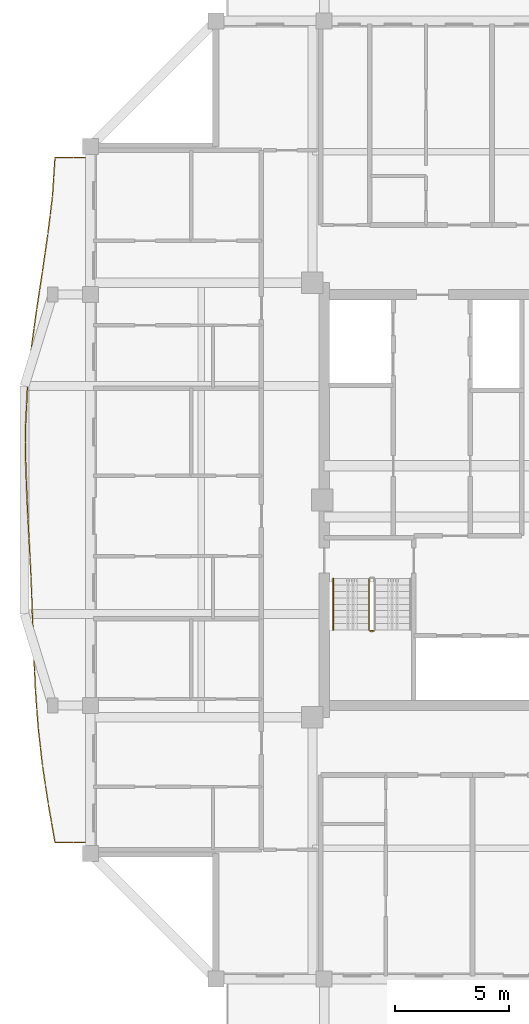
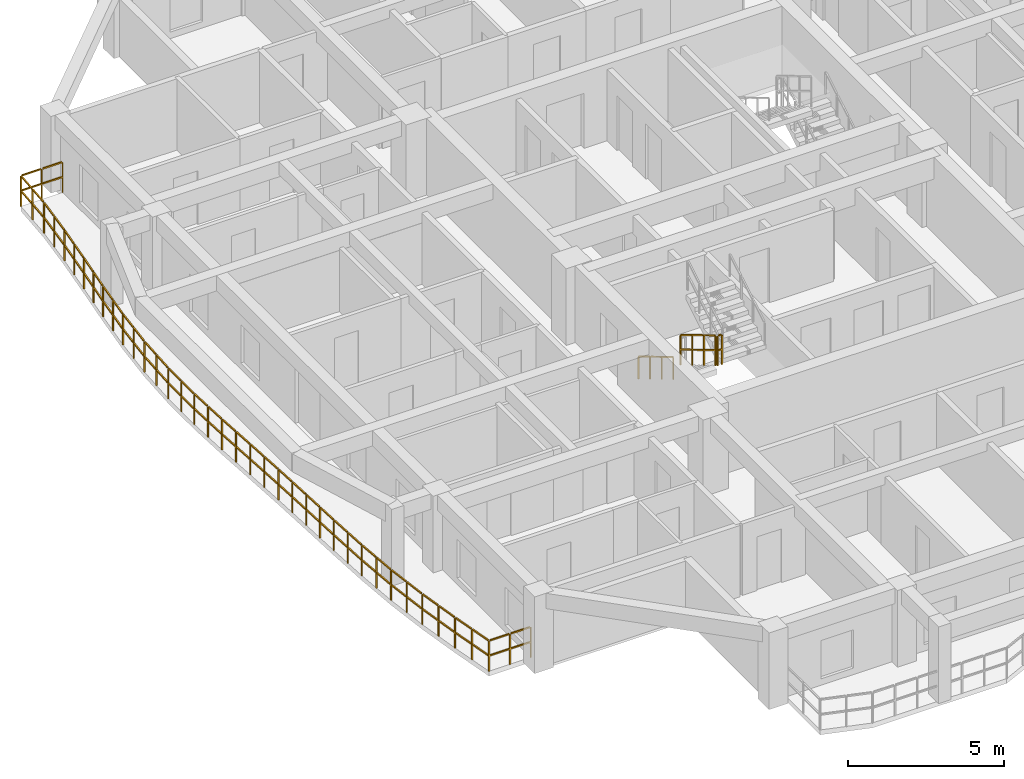
# One storey, part 10 of 13: 4 railings.
"""IFC4 building model written with IfcOpenShell, lengths in metres."""

from ifc_helpers import new_model, si_unit, direction, frame, origin, origin_2d, place, context, subcontext, project, spatial, rectangle, extrude, material, type_object, element, save


model = new_model("IFC4")

# Units and contexts
model_context = context("Model", 3, precision=1e-05, world=origin(), true_north=direction((0.0, 1.0)))
body_context = subcontext(model_context, "Body", "Model", "MODEL_VIEW")
ifc_project = project(units=[si_unit("LENGTHUNIT", "METRE"), si_unit("AREAUNIT", "SQUARE_METRE"), si_unit("VOLUMEUNIT", "CUBIC_METRE"), si_unit("PLANEANGLEUNIT", "RADIAN"), si_unit("MASSUNIT", "GRAM", prefix="KILO")], contexts=[model_context])

# Site, building, storey
site_placement = place(None, origin())
site = spatial("IfcSite", under=ifc_project, at=site_placement, CompositionType="ELEMENT")
building_placement = place(site_placement, origin())
building = spatial("IfcBuilding", under=site, at=building_placement, Name="Saelheon Loggia Tower", CompositionType="ELEMENT")
storey_placement = place(building_placement, frame((0.0, 0.0, 220.199951171875)))
storey = spatial("IfcBuildingStorey", under=building, at=storey_placement, Name="L68", CompositionType="ELEMENT", Elevation=220.199951171875)

# Railings
ifc_material_1 = material(Name="Architectural Precast Concrete and Laminated Glass Guard", Category="concrete")
railing_type_1 = type_object("IfcRailingType", Name="Guard_Loggia_RL_LOG", PredefinedType="BALUSTRADE", material=ifc_material_1)
railing_1_placement = place(storey_placement, frame((21.25, 42.0, 0.0)))
element("IfcRailing", 1, at=railing_1_placement, inside=storey, type_object=railing_type_1, Name="L68 West Loggia Balustrade", PredefinedType="BALUSTRADE", context=body_context, shape_type="SweptSolid", body=[
    extrude(rectangle(XDim=0.048095703125, YDim=0.048095703125, at=origin_2d()), frame((-0.033203125, 0.0, 1.19580078125), z_axis=(-1.0, 0.0, 0.0), x_axis=(0.0, -1.0, 0.0)), (0.0, 0.0, 1.0), 0.70849609375),
    extrude(rectangle(XDim=0.048095703125, YDim=0.048095703125, at=origin_2d()), frame((-0.033203125, 0.0, 0.60986328125), z_axis=(-1.0, 0.0, 0.0), x_axis=(0.0, -1.0, 0.0)), (0.0, 0.0, 1.0), 0.70849609375),
    extrude(rectangle(XDim=0.048095703125, YDim=0.048095703125, at=origin_2d()), frame((-0.808349609375, 0.0, 1.19580078125), z_axis=(-1.0, 0.0, 0.0), x_axis=(0.0, -1.0, 0.0)), (0.0, 0.0, 1.0), 0.70849609375),
    extrude(rectangle(XDim=0.048095703125, YDim=0.048095703125, at=origin_2d()), frame((-0.808349609375, 0.0, 0.60986328125), z_axis=(-1.0, 0.0, 0.0), x_axis=(0.0, -1.0, 0.0)), (0.0, 0.0, 1.0), 0.70849609375),
    extrude(rectangle(XDim=0.048095703125, YDim=0.048095703125, at=origin_2d()), frame((-1.55224609375, -0.033203125, 1.19580078125), z_axis=(-0.064170966116, -0.997938919528, 0.0), x_axis=(0.997938919528, -0.064170966116, 0.0)), (0.0, 0.0, 1.0), 0.7685546875),
    extrude(rectangle(XDim=0.048095703125, YDim=0.048095703125, at=origin_2d()), frame((-1.55224609375, -0.033203125, 0.60986328125), z_axis=(-0.064170966116, -0.997938919528, 0.0), x_axis=(0.997938919528, -0.064170966116, 0.0)), (0.0, 0.0, 1.0), 0.7685546875),
    extrude(rectangle(XDim=0.048095703125, YDim=0.048095703125, at=origin_2d()), frame((-1.605712890625, -0.866455078125, 1.19580078125), z_axis=(-0.064170966116, -0.997938919528, 0.0), x_axis=(0.997938919528, -0.064170966116, 0.0)), (0.0, 0.0, 1.0), 0.7685546875),
    extrude(rectangle(XDim=0.048095703125, YDim=0.048095703125, at=origin_2d()), frame((-1.605712890625, -0.866455078125, 0.60986328125), z_axis=(-0.064170966116, -0.997938919528, 0.0), x_axis=(0.997938919528, -0.064170966116, 0.0)), (0.0, 0.0, 1.0), 0.7685546875),
    extrude(rectangle(XDim=0.048095703125, YDim=0.048095703125, at=origin_2d()), frame((-1.661376953125, -1.69970703125, 1.19580078125), z_axis=(-0.121564580478, -0.992583524331, 0.0), x_axis=(0.992583524331, -0.121564580478, 0.0)), (0.0, 0.0, 1.0), 0.77294921875),
    extrude(rectangle(XDim=0.048095703125, YDim=0.048095703125, at=origin_2d()), frame((-1.661376953125, -1.69970703125, 0.60986328125), z_axis=(-0.121564580478, -0.992583524331, 0.0), x_axis=(0.992583524331, -0.121564580478, 0.0)), (0.0, 0.0, 1.0), 0.77294921875),
    extrude(rectangle(XDim=0.048095703125, YDim=0.048095703125, at=origin_2d()), frame((-1.763427734375, -2.532958984375, 1.19580078125), z_axis=(-0.121564580478, -0.992583524331, 0.0), x_axis=(0.992583524331, -0.121564580478, 0.0)), (0.0, 0.0, 1.0), 0.77294921875),
    extrude(rectangle(XDim=0.048095703125, YDim=0.048095703125, at=origin_2d()), frame((-1.763427734375, -2.532958984375, 0.60986328125), z_axis=(-0.121564580478, -0.992583524331, 0.0), x_axis=(0.992583524331, -0.121564580478, 0.0)), (0.0, 0.0, 1.0), 0.77294921875),
    extrude(rectangle(XDim=0.048095703125, YDim=0.048095703125, at=origin_2d()), frame((-1.8662109375, -3.3662109375, 1.19580078125), z_axis=(-0.143369398541, -0.989669245537, 0.0), x_axis=(0.989669245537, -0.143369398541, 0.0)), (0.0, 0.0, 1.0), 0.775634765625),
    extrude(rectangle(XDim=0.048095703125, YDim=0.048095703125, at=origin_2d()), frame((-1.8662109375, -3.3662109375, 0.60986328125), z_axis=(-0.143369398541, -0.989669245537, 0.0), x_axis=(0.989669245537, -0.143369398541, 0.0)), (0.0, 0.0, 1.0), 0.775634765625),
    extrude(rectangle(XDim=0.048095703125, YDim=0.048095703125, at=origin_2d()), frame((-1.98681640625, -4.199462890625, 1.19580078125), z_axis=(-0.143369398541, -0.989669245537, 0.0), x_axis=(0.989669245537, -0.143369398541, 0.0)), (0.0, 0.0, 1.0), 0.775634765625),
    extrude(rectangle(XDim=0.048095703125, YDim=0.048095703125, at=origin_2d()), frame((-1.98681640625, -4.199462890625, 0.60986328125), z_axis=(-0.143369398541, -0.989669245537, 0.0), x_axis=(0.989669245537, -0.143369398541, 0.0)), (0.0, 0.0, 1.0), 0.775634765625),
    extrude(rectangle(XDim=0.048095703125, YDim=0.048095703125, at=origin_2d()), frame((-2.10791015625, -5.032958984375, 1.19580078125), z_axis=(-0.15059890797, -0.98859494684, 0.0), x_axis=(0.98859494684, -0.15059890797, 0.0)), (0.0, 0.0, 1.0), 0.776611328125),
    extrude(rectangle(XDim=0.048095703125, YDim=0.048095703125, at=origin_2d()), frame((-2.10791015625, -5.032958984375, 0.60986328125), z_axis=(-0.15059890797, -0.98859494684, 0.0), x_axis=(0.98859494684, -0.15059890797, 0.0)), (0.0, 0.0, 1.0), 0.776611328125),
    extrude(rectangle(XDim=0.048095703125, YDim=0.048095703125, at=origin_2d()), frame((-2.23486328125, -5.8662109375, 1.19580078125), z_axis=(-0.15059890797, -0.98859494684, 0.0), x_axis=(0.98859494684, -0.15059890797, 0.0)), (0.0, 0.0, 1.0), 0.776611328125),
    extrude(rectangle(XDim=0.048095703125, YDim=0.048095703125, at=origin_2d()), frame((-2.23486328125, -5.8662109375, 0.60986328125), z_axis=(-0.15059890797, -0.98859494684, 0.0), x_axis=(0.98859494684, -0.15059890797, 0.0)), (0.0, 0.0, 1.0), 0.776611328125),
    extrude(rectangle(XDim=0.048095703125, YDim=0.048095703125, at=origin_2d()), frame((-2.361083984375, -6.69970703125, 1.19580078125), z_axis=(-0.13556658858, -0.990768237309, 0.0), x_axis=(0.990768237309, -0.13556658858, 0.0)), (0.0, 0.0, 1.0), 0.774658203125),
    extrude(rectangle(XDim=0.048095703125, YDim=0.048095703125, at=origin_2d()), frame((-2.361083984375, -6.69970703125, 0.60986328125), z_axis=(-0.13556658858, -0.990768237309, 0.0), x_axis=(0.990768237309, -0.13556658858, 0.0)), (0.0, 0.0, 1.0), 0.774658203125),
    extrude(rectangle(XDim=0.048095703125, YDim=0.048095703125, at=origin_2d()), frame((-2.47509765625, -7.532958984375, 1.19580078125), z_axis=(-0.13556658858, -0.990768237309, 0.0), x_axis=(0.990768237309, -0.13556658858, 0.0)), (0.0, 0.0, 1.0), 0.774658203125),
    extrude(rectangle(XDim=0.048095703125, YDim=0.048095703125, at=origin_2d()), frame((-2.47509765625, -7.532958984375, 0.60986328125), z_axis=(-0.13556658858, -0.990768237309, 0.0), x_axis=(0.990768237309, -0.13556658858, 0.0)), (0.0, 0.0, 1.0), 0.774658203125),
    extrude(rectangle(XDim=0.048095703125, YDim=0.048095703125, at=origin_2d()), frame((-2.587890625, -8.3662109375, 1.19580078125), z_axis=(-0.098681066187, -0.995119112054, 0.0), x_axis=(0.995119112054, -0.098681066187, 0.0)), (0.0, 0.0, 1.0), 0.77099609375),
    extrude(rectangle(XDim=0.048095703125, YDim=0.048095703125, at=origin_2d()), frame((-2.587890625, -8.3662109375, 0.60986328125), z_axis=(-0.098681066187, -0.995119112054, 0.0), x_axis=(0.995119112054, -0.098681066187, 0.0)), (0.0, 0.0, 1.0), 0.77099609375),
    extrude(rectangle(XDim=0.048095703125, YDim=0.048095703125, at=origin_2d()), frame((-2.670654296875, -9.19970703125, 1.19580078125), z_axis=(-0.098681066187, -0.995119112054, 0.0), x_axis=(0.995119112054, -0.098681066187, 0.0)), (0.0, 0.0, 1.0), 0.77099609375),
    extrude(rectangle(XDim=0.048095703125, YDim=0.048095703125, at=origin_2d()), frame((-2.670654296875, -9.19970703125, 0.60986328125), z_axis=(-0.098681066187, -0.995119112054, 0.0), x_axis=(0.995119112054, -0.098681066187, 0.0)), (0.0, 0.0, 1.0), 0.77099609375),
    extrude(rectangle(XDim=0.048095703125, YDim=0.048095703125, at=origin_2d()), frame((-2.751708984375, -10.033203125, 1.19580078125), z_axis=(-0.048864948277, -0.998805394874, 0.0), x_axis=(0.998805394874, -0.048864948277, 0.0)), (0.0, 0.0, 1.0), 0.767822265625),
    extrude(rectangle(XDim=0.048095703125, YDim=0.048095703125, at=origin_2d()), frame((-2.751708984375, -10.033203125, 0.60986328125), z_axis=(-0.048864948277, -0.998805394874, 0.0), x_axis=(0.998805394874, -0.048864948277, 0.0)), (0.0, 0.0, 1.0), 0.767822265625),
    extrude(rectangle(XDim=0.048095703125, YDim=0.048095703125, at=origin_2d()), frame((-2.79248046875, -10.866455078125, 1.19580078125), z_axis=(-0.048864948277, -0.998805394874, 0.0), x_axis=(0.998805394874, -0.048864948277, 0.0)), (0.0, 0.0, 1.0), 0.767822265625),
    extrude(rectangle(XDim=0.048095703125, YDim=0.048095703125, at=origin_2d()), frame((-2.79248046875, -10.866455078125, 0.60986328125), z_axis=(-0.048864948277, -0.998805394874, 0.0), x_axis=(0.998805394874, -0.048864948277, 0.0)), (0.0, 0.0, 1.0), 0.767822265625),
    extrude(rectangle(XDim=0.048095703125, YDim=0.048095703125, at=origin_2d()), frame((-2.83154296875, -11.699951171875, 1.19580078125), z_axis=(0.00029299735, -0.999999957076, 0.0), x_axis=(0.999999957076, 0.00029299735, 0.0)), (0.0, 0.0, 1.0), 0.766845703125),
    extrude(rectangle(XDim=0.048095703125, YDim=0.048095703125, at=origin_2d()), frame((-2.83154296875, -11.699951171875, 0.60986328125), z_axis=(0.00029299735, -0.999999957076, 0.0), x_axis=(0.999999957076, 0.00029299735, 0.0)), (0.0, 0.0, 1.0), 0.766845703125),
    extrude(rectangle(XDim=0.048095703125, YDim=0.048095703125, at=origin_2d()), frame((-2.831298828125, -12.533203125, 1.19580078125), z_axis=(0.00029299735, -0.999999957076, 0.0), x_axis=(0.999999957076, 0.00029299735, 0.0)), (0.0, 0.0, 1.0), 0.766845703125),
    extrude(rectangle(XDim=0.048095703125, YDim=0.048095703125, at=origin_2d()), frame((-2.831298828125, -12.533203125, 0.60986328125), z_axis=(0.00029299735, -0.999999957076, 0.0), x_axis=(0.999999957076, 0.00029299735, 0.0)), (0.0, 0.0, 1.0), 0.766845703125),
    extrude(rectangle(XDim=0.048095703125, YDim=0.048095703125, at=origin_2d()), frame((-2.829833984375, -13.366455078125, 1.19580078125), z_axis=(0.03586383302, -0.999356685814, 0.0), x_axis=(0.999356685814, 0.03586383302, 0.0)), (0.0, 0.0, 1.0), 0.767333984375),
    extrude(rectangle(XDim=0.048095703125, YDim=0.048095703125, at=origin_2d()), frame((-2.829833984375, -13.366455078125, 0.60986328125), z_axis=(0.03586383302, -0.999356685814, 0.0), x_axis=(0.999356685814, 0.03586383302, 0.0)), (0.0, 0.0, 1.0), 0.767333984375),
    extrude(rectangle(XDim=0.048095703125, YDim=0.048095703125, at=origin_2d()), frame((-2.800048828125, -14.199951171875, 1.19580078125), z_axis=(0.03586383302, -0.999356685814, 0.0), x_axis=(0.999356685814, 0.03586383302, 0.0)), (0.0, 0.0, 1.0), 0.767333984375),
    extrude(rectangle(XDim=0.048095703125, YDim=0.048095703125, at=origin_2d()), frame((-2.800048828125, -14.199951171875, 0.60986328125), z_axis=(0.03586383302, -0.999356685814, 0.0), x_axis=(0.999356685814, 0.03586383302, 0.0)), (0.0, 0.0, 1.0), 0.767333984375),
    extrude(rectangle(XDim=0.048095703125, YDim=0.048095703125, at=origin_2d()), frame((-2.76953125, -15.033203125, 1.19580078125), z_axis=(0.051053884449, -0.998695900103, 0.0), x_axis=(0.998695900103, 0.051053884449, 0.0)), (0.0, 0.0, 1.0), 0.76806640625),
    extrude(rectangle(XDim=0.048095703125, YDim=0.048095703125, at=origin_2d()), frame((-2.76953125, -15.033203125, 0.60986328125), z_axis=(0.051053884449, -0.998695900103, 0.0), x_axis=(0.998695900103, 0.051053884449, 0.0)), (0.0, 0.0, 1.0), 0.76806640625),
    extrude(rectangle(XDim=0.048095703125, YDim=0.048095703125, at=origin_2d()), frame((-2.72705078125, -15.866455078125, 1.19580078125), z_axis=(0.051053884449, -0.998695900103, 0.0), x_axis=(0.998695900103, 0.051053884449, 0.0)), (0.0, 0.0, 1.0), 0.76806640625),
    extrude(rectangle(XDim=0.048095703125, YDim=0.048095703125, at=origin_2d()), frame((-2.72705078125, -15.866455078125, 0.60986328125), z_axis=(0.051053884449, -0.998695900103, 0.0), x_axis=(0.998695900103, 0.051053884449, 0.0)), (0.0, 0.0, 1.0), 0.76806640625),
    extrude(rectangle(XDim=0.048095703125, YDim=0.048095703125, at=origin_2d()), frame((-2.684326171875, -16.699951171875, 1.19580078125), z_axis=(0.048872089831, -0.99880504546, 0.0), x_axis=(0.99880504546, 0.048872089831, 0.0)), (0.0, 0.0, 1.0), 0.767822265625),
    extrude(rectangle(XDim=0.048095703125, YDim=0.048095703125, at=origin_2d()), frame((-2.684326171875, -16.699951171875, 0.60986328125), z_axis=(0.048872089831, -0.99880504546, 0.0), x_axis=(0.99880504546, 0.048872089831, 0.0)), (0.0, 0.0, 1.0), 0.767822265625),
    extrude(rectangle(XDim=0.048095703125, YDim=0.048095703125, at=origin_2d()), frame((-2.6435546875, -17.533203125, 1.19580078125), z_axis=(0.048872089831, -0.99880504546, 0.0), x_axis=(0.99880504546, 0.048872089831, 0.0)), (0.0, 0.0, 1.0), 0.767822265625),
    extrude(rectangle(XDim=0.048095703125, YDim=0.048095703125, at=origin_2d()), frame((-2.6435546875, -17.533203125, 0.60986328125), z_axis=(0.048872089831, -0.99880504546, 0.0), x_axis=(0.99880504546, 0.048872089831, 0.0)), (0.0, 0.0, 1.0), 0.767822265625),
    extrude(rectangle(XDim=0.048095703125, YDim=0.048095703125, at=origin_2d()), frame((-2.603271484375, -18.366455078125, 1.19580078125), z_axis=(0.038933399863, -0.99924180776, 0.0), x_axis=(0.99924180776, 0.038933399863, 0.0)), (0.0, 0.0, 1.0), 0.767578125),
    extrude(rectangle(XDim=0.048095703125, YDim=0.048095703125, at=origin_2d()), frame((-2.603271484375, -18.366455078125, 0.60986328125), z_axis=(0.038933399863, -0.99924180776, 0.0), x_axis=(0.99924180776, 0.038933399863, 0.0)), (0.0, 0.0, 1.0), 0.767578125),
    extrude(rectangle(XDim=0.048095703125, YDim=0.048095703125, at=origin_2d()), frame((-2.57080078125, -19.199951171875, 1.19580078125), z_axis=(0.038933399863, -0.99924180776, 0.0), x_axis=(0.99924180776, 0.038933399863, 0.0)), (0.0, 0.0, 1.0), 0.767578125),
    extrude(rectangle(XDim=0.048095703125, YDim=0.048095703125, at=origin_2d()), frame((-2.57080078125, -19.199951171875, 0.60986328125), z_axis=(0.038933399863, -0.99924180776, 0.0), x_axis=(0.99924180776, 0.038933399863, 0.0)), (0.0, 0.0, 1.0), 0.767578125),
    extrude(rectangle(XDim=0.048095703125, YDim=0.048095703125, at=origin_2d()), frame((-2.538330078125, -20.033203125, 1.19580078125), z_axis=(0.034547988495, -0.999403040065, 0.0), x_axis=(0.999403040065, 0.034547988495, 0.0)), (0.0, 0.0, 1.0), 0.767333984375),
    extrude(rectangle(XDim=0.048095703125, YDim=0.048095703125, at=origin_2d()), frame((-2.538330078125, -20.033203125, 0.60986328125), z_axis=(0.034547988495, -0.999403040065, 0.0), x_axis=(0.999403040065, 0.034547988495, 0.0)), (0.0, 0.0, 1.0), 0.767333984375),
    extrude(rectangle(XDim=0.048095703125, YDim=0.048095703125, at=origin_2d()), frame((-2.509521484375, -20.86669921875, 1.19580078125), z_axis=(0.034547988495, -0.999403040065, 0.0), x_axis=(0.999403040065, 0.034547988495, 0.0)), (0.0, 0.0, 1.0), 0.767333984375),
    extrude(rectangle(XDim=0.048095703125, YDim=0.048095703125, at=origin_2d()), frame((-2.509521484375, -20.86669921875, 0.60986328125), z_axis=(0.034547988495, -0.999403040065, 0.0), x_axis=(0.999403040065, 0.034547988495, 0.0)), (0.0, 0.0, 1.0), 0.767333984375),
    extrude(rectangle(XDim=0.048095703125, YDim=0.048095703125, at=origin_2d()), frame((-2.48046875, -21.699951171875, 1.19580078125), z_axis=(0.045221782057, -0.998976971921, 0.0), x_axis=(0.998976971921, 0.045221782057, 0.0)), (0.0, 0.0, 1.0), 0.767578125),
    extrude(rectangle(XDim=0.048095703125, YDim=0.048095703125, at=origin_2d()), frame((-2.48046875, -21.699951171875, 0.60986328125), z_axis=(0.045221782057, -0.998976971921, 0.0), x_axis=(0.998976971921, 0.045221782057, 0.0)), (0.0, 0.0, 1.0), 0.767578125),
    extrude(rectangle(XDim=0.048095703125, YDim=0.048095703125, at=origin_2d()), frame((-2.442626953125, -22.533203125, 1.19580078125), z_axis=(0.045221782057, -0.998976971921, 0.0), x_axis=(0.998976971921, 0.045221782057, 0.0)), (0.0, 0.0, 1.0), 0.767578125),
    extrude(rectangle(XDim=0.048095703125, YDim=0.048095703125, at=origin_2d()), frame((-2.442626953125, -22.533203125, 0.60986328125), z_axis=(0.045221782057, -0.998976971921, 0.0), x_axis=(0.998976971921, 0.045221782057, 0.0)), (0.0, 0.0, 1.0), 0.767578125),
    extrude(rectangle(XDim=0.048095703125, YDim=0.048095703125, at=origin_2d()), frame((-2.404052734375, -23.366455078125, 1.19580078125), z_axis=(0.073624164853, -0.997286058435, 0.0), x_axis=(0.997286058435, 0.073624164853, 0.0)), (0.0, 0.0, 1.0), 0.769287109375),
    extrude(rectangle(XDim=0.048095703125, YDim=0.048095703125, at=origin_2d()), frame((-2.404052734375, -23.366455078125, 0.60986328125), z_axis=(0.073624164853, -0.997286058435, 0.0), x_axis=(0.997286058435, 0.073624164853, 0.0)), (0.0, 0.0, 1.0), 0.769287109375),
    extrude(rectangle(XDim=0.048095703125, YDim=0.048095703125, at=origin_2d()), frame((-2.342529296875, -24.19970703125, 1.19580078125), z_axis=(0.073624164853, -0.997286058435, 0.0), x_axis=(0.997286058435, 0.073624164853, 0.0)), (0.0, 0.0, 1.0), 0.769287109375),
    extrude(rectangle(XDim=0.048095703125, YDim=0.048095703125, at=origin_2d()), frame((-2.342529296875, -24.19970703125, 0.60986328125), z_axis=(0.073624164853, -0.997286058435, 0.0), x_axis=(0.997286058435, 0.073624164853, 0.0)), (0.0, 0.0, 1.0), 0.769287109375),
    extrude(rectangle(XDim=0.048095703125, YDim=0.048095703125, at=origin_2d()), frame((-2.27978515625, -25.032958984375, 1.19580078125), z_axis=(0.112651696568, -0.993634538077, 0.0), x_axis=(0.993634538077, 0.112651696568, 0.0)), (0.0, 0.0, 1.0), 0.772216796875),
    extrude(rectangle(XDim=0.048095703125, YDim=0.048095703125, at=origin_2d()), frame((-2.27978515625, -25.032958984375, 0.60986328125), z_axis=(0.112651696568, -0.993634538077, 0.0), x_axis=(0.993634538077, 0.112651696568, 0.0)), (0.0, 0.0, 1.0), 0.772216796875),
    extrude(rectangle(XDim=0.048095703125, YDim=0.048095703125, at=origin_2d()), frame((-2.185302734375, -25.866455078125, 1.19580078125), z_axis=(0.112651696568, -0.993634538077, 0.0), x_axis=(0.993634538077, 0.112651696568, 0.0)), (0.0, 0.0, 1.0), 0.772216796875),
    extrude(rectangle(XDim=0.048095703125, YDim=0.048095703125, at=origin_2d()), frame((-2.185302734375, -25.866455078125, 0.60986328125), z_axis=(0.112651696568, -0.993634538077, 0.0), x_axis=(0.993634538077, 0.112651696568, 0.0)), (0.0, 0.0, 1.0), 0.772216796875),
    extrude(rectangle(XDim=0.048095703125, YDim=0.048095703125, at=origin_2d()), frame((-2.089599609375, -26.69970703125, 1.19580078125), z_axis=(0.14991264568, -0.98869924581, 0.0), x_axis=(0.98869924581, 0.14991264568, 0.0)), (0.0, 0.0, 1.0), 0.7763671875),
    extrude(rectangle(XDim=0.048095703125, YDim=0.048095703125, at=origin_2d()), frame((-2.089599609375, -26.69970703125, 0.60986328125), z_axis=(0.14991264568, -0.98869924581, 0.0), x_axis=(0.98869924581, 0.14991264568, 0.0)), (0.0, 0.0, 1.0), 0.7763671875),
    extrude(rectangle(XDim=0.048095703125, YDim=0.048095703125, at=origin_2d()), frame((-1.963134765625, -27.532958984375, 1.19580078125), z_axis=(0.14991264568, -0.98869924581, 0.0), x_axis=(0.98869924581, 0.14991264568, 0.0)), (0.0, 0.0, 1.0), 0.7763671875),
    extrude(rectangle(XDim=0.048095703125, YDim=0.048095703125, at=origin_2d()), frame((-1.963134765625, -27.532958984375, 0.60986328125), z_axis=(0.14991264568, -0.98869924581, 0.0), x_axis=(0.98869924581, 0.14991264568, 0.0)), (0.0, 0.0, 1.0), 0.7763671875),
    extrude(rectangle(XDim=0.048095703125, YDim=0.048095703125, at=origin_2d()), frame((-1.836181640625, -28.365966796875, 1.19580078125), z_axis=(0.172418830564, -0.985023729088, 0.0), x_axis=(0.985023729088, 0.172418830564, 0.0)), (0.0, 0.0, 1.0), 0.779541015625),
    extrude(rectangle(XDim=0.048095703125, YDim=0.048095703125, at=origin_2d()), frame((-1.836181640625, -28.365966796875, 0.60986328125), z_axis=(0.172418830564, -0.985023729088, 0.0), x_axis=(0.985023729088, 0.172418830564, 0.0)), (0.0, 0.0, 1.0), 0.779541015625),
    extrude(rectangle(XDim=0.048095703125, YDim=0.048095703125, at=origin_2d()), frame((-1.690185546875, -29.199462890625, 1.19580078125), z_axis=(0.172418830564, -0.985023729088, 0.0), x_axis=(0.985023729088, 0.172418830564, 0.0)), (0.0, 0.0, 1.0), 0.779541015625),
    extrude(rectangle(XDim=0.048095703125, YDim=0.048095703125, at=origin_2d()), frame((-1.690185546875, -29.199462890625, 0.60986328125), z_axis=(0.172418830564, -0.985023729088, 0.0), x_axis=(0.985023729088, 0.172418830564, 0.0)), (0.0, 0.0, 1.0), 0.779541015625),
    extrude(rectangle(XDim=0.048095703125, YDim=0.048095703125, at=origin_2d()), frame((-1.516845703125, -30.0, 1.19580078125), z_axis=(1.0, 0.0, 0.0), x_axis=(0.0, 1.0, 0.0)), (0.0, 0.0, 1.0), 0.70849609375),
    extrude(rectangle(XDim=0.048095703125, YDim=0.048095703125, at=origin_2d()), frame((-1.516845703125, -30.0, 0.60986328125), z_axis=(1.0, 0.0, 0.0), x_axis=(0.0, 1.0, 0.0)), (0.0, 0.0, 1.0), 0.70849609375),
    extrude(rectangle(XDim=0.048095703125, YDim=0.048095703125, at=origin_2d()), frame((-0.74169921875, -30.0, 1.19580078125), z_axis=(1.0, 0.0, 0.0), x_axis=(0.0, 1.0, 0.0)), (0.0, 0.0, 1.0), 0.70849609375),
    extrude(rectangle(XDim=0.048095703125, YDim=0.048095703125, at=origin_2d()), frame((-0.74169921875, -30.0, 0.60986328125), z_axis=(1.0, 0.0, 0.0), x_axis=(0.0, 1.0, 0.0)), (0.0, 0.0, 1.0), 0.70849609375),
    extrude(rectangle(XDim=0.0419921875, YDim=0.0419921875, at=origin_2d()), origin(), (0.0, 0.0, 1.0), 1.16796875),
    extrude(rectangle(XDim=0.0419921875, YDim=0.0419921875, at=origin_2d()), frame((-0.77490234375, 0.0, 0.0)), (0.0, 0.0, 1.0), 1.16796875),
    extrude(rectangle(XDim=0.0419921875, YDim=0.0419921875, at=origin_2d()), frame((-1.550048828125, 0.0, 0.0)), (0.0, 0.0, 1.0), 1.16796875),
    extrude(rectangle(XDim=0.0419921875, YDim=0.0419921875, at=origin_2d()), frame((-1.603515625, -0.83349609375, 0.0)), (0.0, 0.0, 1.0), 1.16796875),
    extrude(rectangle(XDim=0.0419921875, YDim=0.0419921875, at=origin_2d()), frame((-1.6572265625, -1.666748046875, 0.0)), (0.0, 0.0, 1.0), 1.16796875),
    extrude(rectangle(XDim=0.0419921875, YDim=0.0419921875, at=origin_2d()), frame((-1.75927734375, -2.5, 0.0)), (0.0, 0.0, 1.0), 1.16796875),
    extrude(rectangle(XDim=0.0419921875, YDim=0.0419921875, at=origin_2d()), frame((-1.861328125, -3.333251953125, 0.0)), (0.0, 0.0, 1.0), 1.16796875),
    extrude(rectangle(XDim=0.0419921875, YDim=0.0419921875, at=origin_2d()), frame((-1.98193359375, -4.16650390625, 0.0)), (0.0, 0.0, 1.0), 1.16796875),
    extrude(rectangle(XDim=0.0419921875, YDim=0.0419921875, at=origin_2d()), frame((-2.102783203125, -5.0, 0.0)), (0.0, 0.0, 1.0), 1.16796875),
    extrude(rectangle(XDim=0.0419921875, YDim=0.0419921875, at=origin_2d()), frame((-2.229736328125, -5.83349609375, 0.0)), (0.0, 0.0, 1.0), 1.16796875),
    extrude(rectangle(XDim=0.0419921875, YDim=0.0419921875, at=origin_2d()), frame((-2.356689453125, -6.666748046875, 0.0)), (0.0, 0.0, 1.0), 1.16796875),
    extrude(rectangle(XDim=0.0419921875, YDim=0.0419921875, at=origin_2d()), frame((-2.470703125, -7.5, 0.0)), (0.0, 0.0, 1.0), 1.16796875),
    extrude(rectangle(XDim=0.0419921875, YDim=0.0419921875, at=origin_2d()), frame((-2.584716796875, -8.333251953125, 0.0)), (0.0, 0.0, 1.0), 1.16796875),
    extrude(rectangle(XDim=0.0419921875, YDim=0.0419921875, at=origin_2d()), frame((-2.66748046875, -9.16650390625, 0.0)), (0.0, 0.0, 1.0), 1.16796875),
    extrude(rectangle(XDim=0.0419921875, YDim=0.0419921875, at=origin_2d()), frame((-2.75, -10.0, 0.0)), (0.0, 0.0, 1.0), 1.16796875),
    extrude(rectangle(XDim=0.0419921875, YDim=0.0419921875, at=origin_2d()), frame((-2.790771484375, -10.83349609375, 0.0)), (0.0, 0.0, 1.0), 1.16796875),
    extrude(rectangle(XDim=0.0419921875, YDim=0.0419921875, at=origin_2d()), frame((-2.83154296875, -11.666748046875, 0.0)), (0.0, 0.0, 1.0), 1.16796875),
    extrude(rectangle(XDim=0.0419921875, YDim=0.0419921875, at=origin_2d()), frame((-2.831298828125, -12.5, 0.0)), (0.0, 0.0, 1.0), 1.16796875),
    extrude(rectangle(XDim=0.0419921875, YDim=0.0419921875, at=origin_2d()), frame((-2.8310546875, -13.333251953125, 0.0)), (0.0, 0.0, 1.0), 1.16796875),
    extrude(rectangle(XDim=0.0419921875, YDim=0.0419921875, at=origin_2d()), frame((-2.80126953125, -14.16650390625, 0.0)), (0.0, 0.0, 1.0), 1.16796875),
    extrude(rectangle(XDim=0.0419921875, YDim=0.0419921875, at=origin_2d()), frame((-2.771240234375, -15.0, 0.0)), (0.0, 0.0, 1.0), 1.16796875),
    extrude(rectangle(XDim=0.0419921875, YDim=0.0419921875, at=origin_2d()), frame((-2.728515625, -15.83349609375, 0.0)), (0.0, 0.0, 1.0), 1.16796875),
    extrude(rectangle(XDim=0.0419921875, YDim=0.0419921875, at=origin_2d()), frame((-2.68603515625, -16.666748046875, 0.0)), (0.0, 0.0, 1.0), 1.16796875),
    extrude(rectangle(XDim=0.0419921875, YDim=0.0419921875, at=origin_2d()), frame((-2.645263671875, -17.5, 0.0)), (0.0, 0.0, 1.0), 1.16796875),
    extrude(rectangle(XDim=0.0419921875, YDim=0.0419921875, at=origin_2d()), frame((-2.6044921875, -18.333251953125, 0.0)), (0.0, 0.0, 1.0), 1.16796875),
    extrude(rectangle(XDim=0.0419921875, YDim=0.0419921875, at=origin_2d()), frame((-2.572021484375, -19.16650390625, 0.0)), (0.0, 0.0, 1.0), 1.16796875),
    extrude(rectangle(XDim=0.0419921875, YDim=0.0419921875, at=origin_2d()), frame((-2.53955078125, -20.0, 0.0)), (0.0, 0.0, 1.0), 1.16796875),
    extrude(rectangle(XDim=0.0419921875, YDim=0.0419921875, at=origin_2d()), frame((-2.5107421875, -20.83349609375, 0.0)), (0.0, 0.0, 1.0), 1.16796875),
    extrude(rectangle(XDim=0.0419921875, YDim=0.0419921875, at=origin_2d()), frame((-2.48193359375, -21.666748046875, 0.0)), (0.0, 0.0, 1.0), 1.16796875),
    extrude(rectangle(XDim=0.0419921875, YDim=0.0419921875, at=origin_2d()), frame((-2.4443359375, -22.5, 0.0)), (0.0, 0.0, 1.0), 1.16796875),
    extrude(rectangle(XDim=0.0419921875, YDim=0.0419921875, at=origin_2d()), frame((-2.406494140625, -23.333251953125, 0.0)), (0.0, 0.0, 1.0), 1.16796875),
    extrude(rectangle(XDim=0.0419921875, YDim=0.0419921875, at=origin_2d()), frame((-2.344970703125, -24.16650390625, 0.0)), (0.0, 0.0, 1.0), 1.16796875),
    extrude(rectangle(XDim=0.0419921875, YDim=0.0419921875, at=origin_2d()), frame((-2.283447265625, -25.0, 0.0)), (0.0, 0.0, 1.0), 1.16796875),
    extrude(rectangle(XDim=0.0419921875, YDim=0.0419921875, at=origin_2d()), frame((-2.18896484375, -25.83349609375, 0.0)), (0.0, 0.0, 1.0), 1.16796875),
    extrude(rectangle(XDim=0.0419921875, YDim=0.0419921875, at=origin_2d()), frame((-2.094482421875, -26.666748046875, 0.0)), (0.0, 0.0, 1.0), 1.16796875),
    extrude(rectangle(XDim=0.0419921875, YDim=0.0419921875, at=origin_2d()), frame((-1.96826171875, -27.5, 0.0)), (0.0, 0.0, 1.0), 1.16796875),
    extrude(rectangle(XDim=0.0419921875, YDim=0.0419921875, at=origin_2d()), frame((-1.841796875, -28.333251953125, 0.0)), (0.0, 0.0, 1.0), 1.16796875),
    extrude(rectangle(XDim=0.0419921875, YDim=0.0419921875, at=origin_2d()), frame((-1.69580078125, -29.16650390625, 0.0)), (0.0, 0.0, 1.0), 1.16796875),
    extrude(rectangle(XDim=0.0419921875, YDim=0.0419921875, at=origin_2d()), frame((-1.550048828125, -30.0, 0.0)), (0.0, 0.0, 1.0), 1.16796875),
    extrude(rectangle(XDim=0.0419921875, YDim=0.0419921875, at=origin_2d()), frame((-0.77490234375, -30.0, 0.0)), (0.0, 0.0, 1.0), 1.16796875),
    extrude(rectangle(XDim=0.0419921875, YDim=0.0419921875, at=origin_2d()), frame((0.0, -30.0, 0.0)), (0.0, 0.0, 1.0), 1.16796875),
])
ifc_material_2 = material(Name="Galvanised Steel S275 Stairwell Guardrail", Category="steel")
railing_type_2 = type_object("IfcRailingType", Name="Guard_StairWell_RL_STG", PredefinedType="GUARDRAIL", material=ifc_material_2)
railing_2_placement = place(storey_placement, frame((33.4599609375, 23.550048828125, 0.166748046875)))
element("IfcRailing", 2, at=railing_2_placement, inside=storey, type_object=railing_type_2, Name="L68 ST1 stair guard 1", PredefinedType="GUARDRAIL", context=body_context, shape_type="SweptSolid", body=[
    extrude(rectangle(XDim=0.048095703125, YDim=0.048095703125, at=origin_2d()), frame((0.0, -0.028564453125, 1.19287109375), z_axis=(0.0, -0.859305625298, 0.511462454469), x_axis=(1.0, 0.0, 0.0)), (0.0, 0.0, 1.0), 0.802490234375),
    extrude(rectangle(XDim=0.048095703125, YDim=0.048095703125, at=origin_2d()), frame((0.0, -0.028564453125, 0.616943359375), z_axis=(0.0, -0.859305625298, 0.511462454469), x_axis=(1.0, 0.0, 0.0)), (0.0, 0.0, 1.0), 0.802490234375),
    extrude(rectangle(XDim=0.048095703125, YDim=0.048095703125, at=origin_2d()), frame((0.0, -0.775146484375, 1.63720703125), z_axis=(0.0, -0.859305625298, 0.511462454469), x_axis=(1.0, 0.0, 0.0)), (0.0, 0.0, 1.0), 0.802490234375),
    extrude(rectangle(XDim=0.048095703125, YDim=0.048095703125, at=origin_2d()), frame((0.0, -0.775146484375, 1.061279296875), z_axis=(0.0, -0.859305625298, 0.511462454469), x_axis=(1.0, 0.0, 0.0)), (0.0, 0.0, 1.0), 0.802490234375),
    extrude(rectangle(XDim=0.048095703125, YDim=0.048095703125, at=origin_2d()), frame((0.0, -1.52197265625, 2.081787109375), z_axis=(0.0, -0.859305625298, 0.511462454469), x_axis=(1.0, 0.0, 0.0)), (0.0, 0.0, 1.0), 0.802490234375),
    extrude(rectangle(XDim=0.048095703125, YDim=0.048095703125, at=origin_2d()), frame((0.0, -1.52197265625, 1.505859375), z_axis=(0.0, -0.859305625298, 0.511462454469), x_axis=(1.0, 0.0, 0.0)), (0.0, 0.0, 1.0), 0.802490234375),
    extrude(rectangle(XDim=0.0419921875, YDim=0.0419921875, at=origin_2d()), origin(), (0.0, 0.0, 1.0), 1.14794921875),
    extrude(rectangle(XDim=0.0419921875, YDim=0.0419921875, at=origin_2d()), frame((0.0, -0.74658203125, 0.4443359375)), (0.0, 0.0, 1.0), 1.14794921875),
    extrude(rectangle(XDim=0.0419921875, YDim=0.0419921875, at=origin_2d()), frame((0.0, -1.493408203125, 0.888916015625)), (0.0, 0.0, 1.0), 1.14794921875),
    extrude(rectangle(XDim=0.0419921875, YDim=0.0419921875, at=origin_2d()), frame((0.0, -2.239990234375, 1.333251953125)), (0.0, 0.0, 1.0), 1.14794921875),
])
railing_3_placement = place(storey_placement, frame((33.510009765625, 21.260009765625, 1.5)))
element("IfcRailing", 3, at=railing_3_placement, inside=storey, type_object=railing_type_2, Name="L68 ST1 stair guard 2", PredefinedType="GUARDRAIL", context=body_context, shape_type="SweptSolid", body=[
    extrude(rectangle(XDim=0.048095703125, YDim=0.048095703125, at=origin_2d()), frame((0.033203125, 0.0, 1.17578125), z_axis=(1.0, 0.0, 0.0), x_axis=(0.0, 1.0, 0.0)), (0.0, 0.0, 1.0), 0.093505859375),
    extrude(rectangle(XDim=0.048095703125, YDim=0.048095703125, at=origin_2d()), frame((0.033203125, 0.0, 0.60009765625), z_axis=(1.0, 0.0, 0.0), x_axis=(0.0, 1.0, 0.0)), (0.0, 0.0, 1.0), 0.093505859375),
    extrude(rectangle(XDim=0.0419921875, YDim=0.0419921875, at=origin_2d()), origin(), (0.0, 0.0, 1.0), 1.14794921875),
    extrude(rectangle(XDim=0.0419921875, YDim=0.0419921875, at=origin_2d()), frame((0.159912109375, 0.0, 0.0)), (0.0, 0.0, 1.0), 1.14794921875),
])
ifc_material_3 = material(Name="Stainless Steel 304 Tubular Handrail", Category="steel")
railing_type_3 = type_object("IfcRailingType", Name="Handrail_Stair_RL_HR1", PredefinedType="HANDRAIL", material=ifc_material_3)
railing_4_placement = place(storey_placement, frame((31.89990234375, 23.550048828125, 0.166748046875)))
element("IfcRailing", 4, at=railing_4_placement, inside=storey, type_object=railing_type_3, Name="L68 ST1 stair handrail 1", PredefinedType="HANDRAIL", context=body_context, shape_type="SweptSolid", body=[
    extrude(rectangle(XDim=0.048095703125, YDim=0.048095703125, at=origin_2d()), frame((0.0, -0.028564453125, 0.892822265625), z_axis=(0.0, -0.859305625298, 0.511462454469), x_axis=(1.0, 0.0, 0.0)), (0.0, 0.0, 1.0), 0.802490234375),
    extrude(rectangle(XDim=0.048095703125, YDim=0.048095703125, at=origin_2d()), frame((0.0, -0.775146484375, 1.337158203125), z_axis=(0.0, -0.859305625298, 0.511462454469), x_axis=(1.0, 0.0, 0.0)), (0.0, 0.0, 1.0), 0.802490234375),
    extrude(rectangle(XDim=0.048095703125, YDim=0.048095703125, at=origin_2d()), frame((0.0, -1.52197265625, 1.78173828125), z_axis=(0.0, -0.859305625298, 0.511462454469), x_axis=(1.0, 0.0, 0.0)), (0.0, 0.0, 1.0), 0.802490234375),
    extrude(rectangle(XDim=0.0419921875, YDim=0.0419921875, at=origin_2d()), origin(), (0.0, 0.0, 1.0), 0.847900390625),
    extrude(rectangle(XDim=0.0419921875, YDim=0.0419921875, at=origin_2d()), frame((0.0, -0.74658203125, 0.4443359375)), (0.0, 0.0, 1.0), 0.847900390625),
    extrude(rectangle(XDim=0.0419921875, YDim=0.0419921875, at=origin_2d()), frame((0.0, -1.493408203125, 0.888916015625)), (0.0, 0.0, 1.0), 0.847900390625),
    extrude(rectangle(XDim=0.0419921875, YDim=0.0419921875, at=origin_2d()), frame((0.0, -2.239990234375, 1.333251953125)), (0.0, 0.0, 1.0), 0.847900390625),
])

save(model, "model.ifc")
